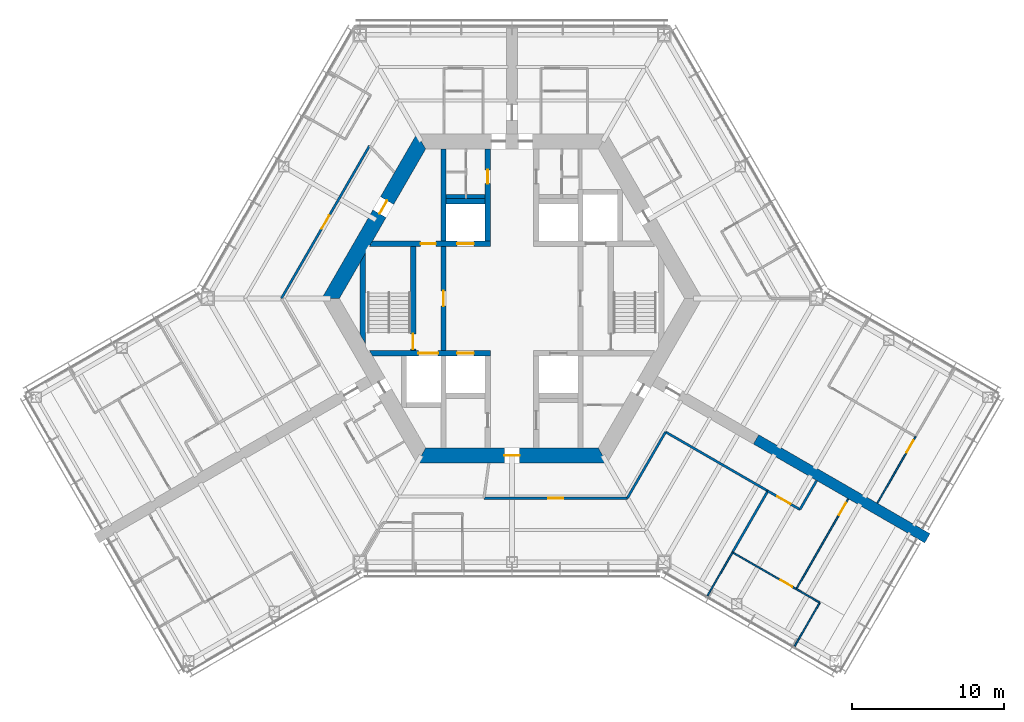
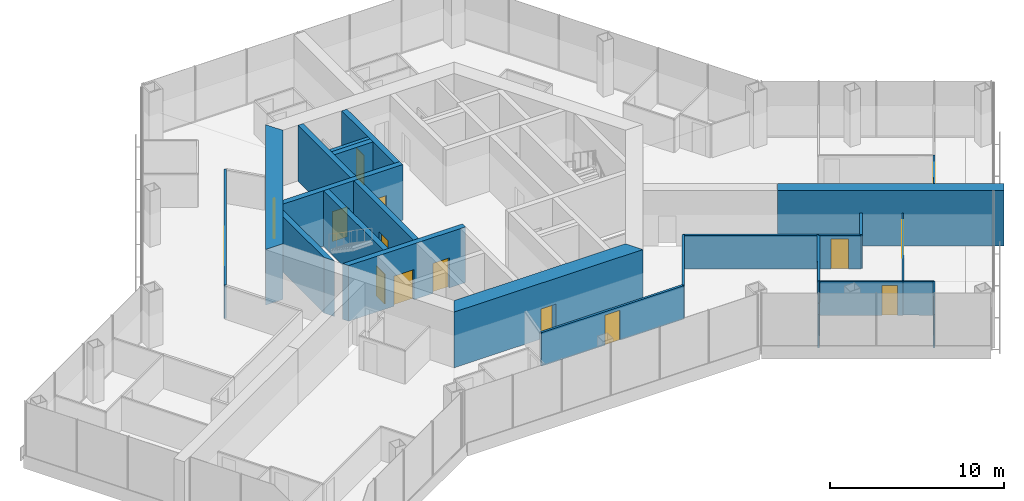
# One storey, part 13 of 18: 25 walls, 15 doors, 15 openings.
"""IFC4 building model written with IfcOpenShell, lengths in metres."""

from ifc_helpers import new_model, si_unit, direction, frame, frame_2d, origin, place, context, subcontext, project, spatial, polyline, rectangle, outline, extrude, material, layer, layer_set, type_object, element, fill, save


model = new_model("IFC4")

# Units and contexts
model_context = context("Model", 3, precision=1e-05, world=origin(), true_north=direction((0.0, 1.0)))
body_context = subcontext(model_context, "Body", "Model", "MODEL_VIEW")
ifc_project = project(units=[si_unit("LENGTHUNIT", "METRE"), si_unit("AREAUNIT", "SQUARE_METRE"), si_unit("VOLUMEUNIT", "CUBIC_METRE"), si_unit("PLANEANGLEUNIT", "RADIAN"), si_unit("MASSUNIT", "GRAM", prefix="KILO")], contexts=[model_context])

# Site, building, storey
site_placement = place(None, origin())
site = spatial("IfcSite", under=ifc_project, at=site_placement, CompositionType="ELEMENT")
building_placement = place(site_placement, origin())
building = spatial("IfcBuilding", under=site, at=building_placement, Name="Kasaneha Research Tower", CompositionType="ELEMENT")
storey_placement = place(building_placement, frame((0.0, 0.0, 199.39990234375)))
storey = spatial("IfcBuildingStorey", under=building, at=storey_placement, Name="L50", CompositionType="ELEMENT", Elevation=199.39990234375)

# Wall, openings, doors
ifc_material_1 = material(Name="Concrete Fc70", Category="concrete")
ifc_layer_1 = layer(ifc_material_1, 0.35009765625)
ifc_layer_set_1 = layer_set([ifc_layer_1], Name="Core internal wall 350 Fc70")
wall_type_1 = type_object("IfcWallType", Name="Core internal wall 350 Fc70", PredefinedType="SHEAR", material=ifc_layer_set_1)
wall_1_placement = place(storey_placement, frame((-9.266357421875, 3.60009765625, 0.0), z_axis=(0.0, 0.0, 1.0), x_axis=(1.0, 0.0, 0.0)))
wall_1 = element("IfcWall", 1, at=wall_1_placement, inside=storey, type_object=wall_type_1, Name="Core wall W1W L50", PredefinedType="SHEAR", context=body_context, shape_type="SweptSolid", body=[
    extrude(outline(polyline([(-0.10107421875, -0.175048828125), (3.266357421875, -0.175048828125), (4.266357421875, -0.175048828125), (5.66650390625, -0.175048828125), (6.7666015625, -0.175048828125), (7.84130859375, -0.175048828125), (7.84130859375, 0.175048828125), (6.7666015625, 0.175048828125), (5.66650390625, 0.175048828125), (4.266357421875, 0.175048828125), (3.266357421875, 0.175048828125), (0.10107421875, 0.175048828125), (-0.10107421875, -0.175048828125)])), origin(), (0.0, 0.0, 1.0), 3.900146484375),
])
opening_1_placement = place(wall_1_placement, frame((3.266357421875, 0.0, 0.0)))
opening_1 = element("IfcOpeningElement", 2, at=opening_1_placement, cuts=wall_1, Name="Opening L50-D12", PredefinedType="OPENING", context=body_context, shape_type="SweptSolid", body=[
    extrude(rectangle(XDim=1.0, YDim=2.10009765625, at=frame_2d((0.5, 1.050048828125))), frame((0.0, 0.18505859375, 0.0), z_axis=(0.0, -1.0, 0.0), x_axis=(1.0, 0.0, 0.0)), (0.0, 0.0, 1.0), 0.3701171875),
])
opening_2_placement = place(wall_1_placement, frame((5.66650390625, 0.0, 0.0)))
opening_2 = element("IfcOpeningElement", 3, at=opening_2_placement, cuts=wall_1, Name="Opening LD-LM1-L50", PredefinedType="OPENING", context=body_context, shape_type="SweptSolid", body=[
    extrude(rectangle(XDim=1.10009765625, YDim=2.10009765625, at=frame_2d((0.550048828125, 1.050048828125))), frame((0.0, 0.18505859375, 0.0), z_axis=(0.0, -1.0, 0.0), x_axis=(1.0, 0.0, 0.0)), (0.0, 0.0, 1.0), 0.3701171875),
])
ifc_material_2 = material(Name="Steel", Category="steel")
door_type_1 = type_object("IfcDoorType", Name="Lift landing door 1100x2100", OperationType="DOUBLE_DOOR_SLIDING", PredefinedType="DOOR", material=ifc_material_2)
door_1_placement = place(opening_2_placement, origin())
door_1 = element("IfcDoor", 4, at=door_1_placement, inside=storey, type_object=door_type_1, Name="Landing door LM1 LD-LM1-L50", OperationType="DOUBLE_DOOR_SLIDING", OverallHeight=2.10009765625, OverallWidth=1.10009765625, PredefinedType="DOOR", context=body_context, shape_type="SweptSolid", body=[
    extrude(rectangle(XDim=1.10009765625, YDim=2.10009765625, at=frame_2d((0.550048828125, 1.050048828125))), frame((0.0, 0.02490234375, 0.0), z_axis=(0.0, -1.0, 0.0), x_axis=(1.0, 0.0, 0.0)), (0.0, 0.0, 1.0), 0.050048828125),
])
fill(opening_2, door_1)
ifc_material_3 = material(Name="Steel", Category="steel")
door_type_2 = type_object("IfcDoorType", Name="Specified fire door FD60 1000x2100", OperationType="NOTDEFINED", PredefinedType="DOOR", material=ifc_material_3)
door_2_placement = place(opening_1_placement, origin())
door_2 = element("IfcDoor", 5, at=door_2_placement, inside=storey, type_object=door_type_2, Name="Vestibule to lobby door L50-D12", OperationType="SINGLE_SWING_LEFT", OverallHeight=2.10009765625, OverallWidth=1.0, PredefinedType="DOOR", context=body_context, shape_type="SweptSolid", body=[
    extrude(rectangle(XDim=1.0, YDim=2.10009765625, at=frame_2d((0.5, 1.050048828125))), frame((0.0, 0.02490234375, 0.0), z_axis=(0.0, -1.0, 0.0), x_axis=(1.0, 0.0, 0.0)), (0.0, 0.0, 1.0), 0.050048828125),
])
fill(opening_1, door_2)

wall_2_placement = place(storey_placement, frame((-9.266357421875, -3.60009765625, 0.0), z_axis=(0.0, 0.0, 1.0), x_axis=(1.0, 0.0, 0.0)))
wall_2 = element("IfcWall", 6, at=wall_2_placement, inside=storey, type_object=wall_type_1, Name="Core wall W2W L50", PredefinedType="SHEAR", context=body_context, shape_type="SweptSolid", body=[
    extrude(outline(polyline([(0.10107421875, -0.175048828125), (3.116455078125, -0.175048828125), (4.41650390625, -0.175048828125), (5.66650390625, -0.175048828125), (6.7666015625, -0.175048828125), (7.84130859375, -0.175048828125), (7.84130859375, 0.175048828125), (6.7666015625, 0.175048828125), (5.66650390625, 0.175048828125), (4.41650390625, 0.175048828125), (3.116455078125, 0.175048828125), (-0.10107421875, 0.175048828125), (0.10107421875, -0.175048828125)])), origin(), (0.0, 0.0, 1.0), 3.900146484375),
])
opening_3_placement = place(wall_2_placement, frame((5.66650390625, 0.0, 0.0)))
opening_3 = element("IfcOpeningElement", 7, at=opening_3_placement, cuts=wall_2, Name="Opening LD-LM3-L50", PredefinedType="OPENING", context=body_context, shape_type="SweptSolid", body=[
    extrude(rectangle(XDim=1.10009765625, YDim=2.10009765625, at=frame_2d((0.550048828125, 1.050048828125))), frame((0.0, 0.18505859375, 0.0), z_axis=(0.0, -1.0, 0.0), x_axis=(1.0, 0.0, 0.0)), (0.0, 0.0, 1.0), 0.3701171875),
])
opening_4_placement = place(wall_2_placement, frame((3.116455078125, 0.0, 0.0)))
opening_4 = element("IfcOpeningElement", 8, at=opening_4_placement, cuts=wall_2, Name="Opening LD-FL2-L50", PredefinedType="OPENING", context=body_context, shape_type="SweptSolid", body=[
    extrude(rectangle(XDim=1.300048828125, YDim=2.10009765625, at=frame_2d((0.64990234375, 1.050048828125))), frame((0.0, 0.18505859375, 0.0), z_axis=(0.0, -1.0, 0.0), x_axis=(1.0, 0.0, 0.0)), (0.0, 0.0, 1.0), 0.3701171875),
])
door_3_placement = place(opening_3_placement, origin())
door_3 = element("IfcDoor", 9, at=door_3_placement, inside=storey, type_object=door_type_1, Name="Landing door LM3 LD-LM3-L50", OperationType="DOUBLE_DOOR_SLIDING", OverallHeight=2.10009765625, OverallWidth=1.10009765625, PredefinedType="DOOR", context=body_context, shape_type="SweptSolid", body=[
    extrude(rectangle(XDim=1.10009765625, YDim=2.10009765625, at=frame_2d((0.550048828125, 1.050048828125))), frame((0.0, 0.02490234375, 0.0), z_axis=(0.0, -1.0, 0.0), x_axis=(1.0, 0.0, 0.0)), (0.0, 0.0, 1.0), 0.050048828125),
])
fill(opening_3, door_3)
ifc_material_4 = material(Name="Steel", Category="steel")
door_type_3 = type_object("IfcDoorType", Name="Lift landing door 1300x2100", OperationType="DOUBLE_DOOR_SLIDING", PredefinedType="DOOR", material=ifc_material_4)
door_4_placement = place(opening_4_placement, origin())
door_4 = element("IfcDoor", 10, at=door_4_placement, inside=storey, type_object=door_type_3, Name="Landing door FL2 LD-FL2-L50", OperationType="DOUBLE_DOOR_SLIDING", OverallHeight=2.10009765625, OverallWidth=1.300048828125, PredefinedType="DOOR", context=body_context, shape_type="SweptSolid", body=[
    extrude(rectangle(XDim=1.300048828125, YDim=2.10009765625, at=frame_2d((0.64990234375, 1.050048828125))), frame((0.0, 0.02490234375, 0.0), z_axis=(0.0, -1.0, 0.0), x_axis=(1.0, 0.0, 0.0)), (0.0, 0.0, 1.0), 0.050048828125),
])
fill(opening_4, door_4)

# Wall, opening, door
wall_3_placement = place(storey_placement, frame((-1.60009765625, 3.77490234375, 0.0), z_axis=(0.0, 0.0, 1.0), x_axis=(0.0, 1.0, 0.0)))
wall_3 = element("IfcWall", 11, at=wall_3_placement, inside=storey, type_object=wall_type_1, Name="Core wall CNW L50", PredefinedType="SHEAR", context=body_context, shape_type="SweptSolid", body=[
    extrude(rectangle(XDim=6.050048828125, YDim=0.35009765625, at=frame_2d((3.02490234375, 0.0))), origin(), (0.0, 0.0, 1.0), 3.900146484375),
])
opening_5_placement = place(wall_3_placement, frame((3.77490234375, 0.0, 0.0)))
opening_5 = element("IfcOpeningElement", 12, at=opening_5_placement, cuts=wall_3, Name="Opening L50-D13", PredefinedType="OPENING", context=body_context, shape_type="SweptSolid", body=[
    extrude(rectangle(XDim=0.89990234375, YDim=2.10009765625, at=frame_2d((0.449951171875, 1.050048828125))), frame((0.0, 0.18505859375, 0.0), z_axis=(0.0, -1.0, 0.0), x_axis=(1.0, 0.0, 0.0)), (0.0, 0.0, 1.0), 0.3701171875),
])
ifc_material_5 = material(Name="Steel", Category="steel")
door_type_4 = type_object("IfcDoorType", Name="Toilet door FD20 900x2100", OperationType="NOTDEFINED", PredefinedType="DOOR", material=ifc_material_5)
door_5_placement = place(opening_5_placement, origin())
door_5 = element("IfcDoor", 13, at=door_5_placement, inside=storey, type_object=door_type_4, Name="Men's WC door L50-D13", OperationType="SINGLE_SWING_LEFT", OverallHeight=2.10009765625, OverallWidth=0.89990234375, PredefinedType="DOOR", context=body_context, shape_type="SweptSolid", body=[
    extrude(rectangle(XDim=0.89990234375, YDim=2.10009765625, at=frame_2d((0.449951171875, 1.050048828125))), frame((0.0, 0.02490234375, 0.0), z_axis=(0.0, -1.0, 0.0), x_axis=(1.0, 0.0, 0.0)), (0.0, 0.0, 1.0), 0.050048828125),
])
fill(opening_5, door_5)

wall_4_placement = place(storey_placement, frame((-4.5, -3.425048828125, 0.0), z_axis=(0.0, 0.0, 1.0), x_axis=(0.0, 1.0, 0.0)))
wall_4 = element("IfcWall", 14, at=wall_4_placement, inside=storey, type_object=wall_type_1, Name="Core wall LBW L50", PredefinedType="SHEAR", context=body_context, shape_type="SweptSolid", body=[
    extrude(rectangle(XDim=6.85009765625, YDim=0.35009765625, at=frame_2d((3.425048828125, 0.0))), origin(), (0.0, 0.0, 1.0), 3.900146484375),
])
opening_6_placement = place(wall_4_placement, frame((2.925048828125, 0.0, 0.0)))
opening_6 = element("IfcOpeningElement", 15, at=opening_6_placement, cuts=wall_4, Name="Opening L50-D09", PredefinedType="OPENING", context=body_context, shape_type="SweptSolid", body=[
    extrude(rectangle(XDim=1.0, YDim=2.10009765625, at=frame_2d((0.5, 1.050048828125))), frame((0.0, 0.18505859375, 0.0), z_axis=(0.0, -1.0, 0.0), x_axis=(1.0, 0.0, 0.0)), (0.0, 0.0, 1.0), 0.3701171875),
])
door_6_placement = place(opening_6_placement, origin())
door_6 = element("IfcDoor", 16, at=door_6_placement, inside=storey, type_object=door_type_2, Name="Lift lobby door west L50-D09", OperationType="SINGLE_SWING_LEFT", OverallHeight=2.10009765625, OverallWidth=1.0, PredefinedType="DOOR", context=body_context, shape_type="SweptSolid", body=[
    extrude(rectangle(XDim=1.0, YDim=2.10009765625, at=frame_2d((0.5, 1.050048828125))), frame((0.0, 0.02490234375, 0.0), z_axis=(0.0, -1.0, 0.0), x_axis=(1.0, 0.0, 0.0)), (0.0, 0.0, 1.0), 0.050048828125),
])
fill(opening_6, door_6)

wall_5_placement = place(storey_placement, frame((-6.5, -3.425048828125, 0.0), z_axis=(0.0, 0.0, 1.0), x_axis=(0.0, 1.0, 0.0)))
wall_5 = element("IfcWall", 17, at=wall_5_placement, inside=storey, type_object=wall_type_1, Name="Core wall ANW L50", PredefinedType="SHEAR", context=body_context, shape_type="SweptSolid", body=[
    extrude(rectangle(XDim=6.85009765625, YDim=0.35009765625, at=frame_2d((3.425048828125, 0.0))), origin(), (0.0, 0.0, 1.0), 3.900146484375),
])
opening_7_placement = place(wall_5_placement, frame((0.10009765625, 0.0, 0.0)))
opening_7 = element("IfcOpeningElement", 18, at=opening_7_placement, cuts=wall_5, Name="Opening L50-D11", PredefinedType="OPENING", context=body_context, shape_type="SweptSolid", body=[
    extrude(rectangle(XDim=1.0, YDim=2.10009765625, at=frame_2d((0.5, 1.050048828125))), frame((0.0, 0.18505859375, 0.0), z_axis=(0.0, -1.0, 0.0), x_axis=(1.0, 0.0, 0.0)), (0.0, 0.0, 1.0), 0.3701171875),
])
door_7_placement = place(opening_7_placement, origin())
door_7 = element("IfcDoor", 19, at=door_7_placement, inside=storey, type_object=door_type_2, Name="Stair 2 door L50-D11", OperationType="SINGLE_SWING_LEFT", OverallHeight=2.10009765625, OverallWidth=1.0, PredefinedType="DOOR", context=body_context, shape_type="SweptSolid", body=[
    extrude(rectangle(XDim=1.0, YDim=2.10009765625, at=frame_2d((0.5, 1.050048828125))), frame((0.0, 0.02490234375, 0.0), z_axis=(0.0, -1.0, 0.0), x_axis=(1.0, 0.0, 0.0)), (0.0, 0.0, 1.0), 0.050048828125),
])
fill(opening_7, door_7)

# Walls
wall_6_placement = place(storey_placement, frame((-4.5, 3.77490234375, 0.0), z_axis=(0.0, 0.0, 1.0), x_axis=(0.0, 1.0, 0.0)))
element("IfcWall", 20, at=wall_6_placement, inside=storey, type_object=wall_type_1, Name="Core wall VNW L50", PredefinedType="SHEAR", context=body_context, shape_type="SweptSolid", body=[
    extrude(rectangle(XDim=6.050048828125, YDim=0.35009765625, at=frame_2d((3.02490234375, 0.0))), origin(), (0.0, 0.0, 1.0), 3.900146484375),
])
wall_7_placement = place(storey_placement, frame((-4.324951171875, 6.39990234375, 0.0), z_axis=(0.0, 0.0, 1.0), x_axis=(1.0, 0.0, 0.0)))
element("IfcWall", 21, at=wall_7_placement, inside=storey, type_object=wall_type_1, Name="Core wall N1N L50", PredefinedType="SHEAR", context=body_context, shape_type="SweptSolid", body=[
    extrude(rectangle(XDim=2.550048828125, YDim=0.35009765625, at=frame_2d((1.27490234375, 0.0))), origin(), (0.0, 0.0, 1.0), 3.900146484375),
])
wall_8_placement = place(storey_placement, frame((-9.807861328125, -2.662353515625, 0.0), z_axis=(0.0, 0.0, 1.0), x_axis=(0.0, 1.0, 0.0)))
element("IfcWall", 22, at=wall_8_placement, inside=storey, type_object=wall_type_1, Name="Core wall STW L50", PredefinedType="SHEAR", context=body_context, shape_type="SweptSolid", body=[
    extrude(outline(polyline([(-0.30322265625, -0.175048828125), (5.6279296875, -0.175048828125), (5.021484375, 0.175048828125), (0.30322265625, 0.175048828125), (-0.30322265625, -0.175048828125)])), origin(), (0.0, 0.0, 1.0), 3.900146484375),
])

# Wall, opening, door
ifc_material_6 = material(Name="Concrete Fc70", Category="concrete")
ifc_layer_2 = layer(ifc_material_6, 1.0)
ifc_layer_set_2 = layer_set([ifc_layer_2], Name="Core wall 1000 Fc70")
wall_type_2 = type_object("IfcWallType", Name="Core wall 1000 Fc70", PredefinedType="SHEAR", material=ifc_layer_set_2)
wall_9_placement = place(storey_placement, frame((-5.961181640625, 10.324951171875, 0.0), z_axis=(0.0, 0.0, 1.0), x_axis=(-0.500004296715, -0.866022923061, 0.0)))
wall_9 = element("IfcWall", 23, at=wall_9_placement, inside=storey, type_object=wall_type_2, Name="Core wall 150 L50", PredefinedType="SHEAR", context=body_context, shape_type="SweptSolid", body=[
    extrude(outline(polyline([(-0.28857421875, -0.5), (4.494140625, -0.5), (5.494140625, -0.5), (12.2109375, -0.5), (11.6337890625, 0.5), (5.494140625, 0.5), (4.494140625, 0.5), (0.28857421875, 0.5), (-0.28857421875, -0.5)])), origin(), (0.0, 0.0, 1.0), 3.900146484375),
])
opening_8_placement = place(wall_9_placement, frame((4.494140625, 0.0, 0.0)))
opening_8 = element("IfcOpeningElement", 24, at=opening_8_placement, cuts=wall_9, Name="Opening L50-D07", PredefinedType="OPENING", context=body_context, shape_type="SweptSolid", body=[
    extrude(rectangle(XDim=1.0, YDim=2.10009765625, at=frame_2d((0.5, 1.050048828125))), frame((0.0, 0.510009765625, 0.0), z_axis=(0.0, -1.0, 0.0), x_axis=(1.0, 0.0, 0.0)), (0.0, 0.0, 1.0), 1.02001953125),
])
ifc_material_7 = material(Name="Steel", Category="steel")
door_type_5 = type_object("IfcDoorType", Name="Fire door FD20 1000x2100", OperationType="NOTDEFINED", PredefinedType="DOOR", material=ifc_material_7)
door_8_placement = place(opening_8_placement, origin())
door_8 = element("IfcDoor", 25, at=door_8_placement, inside=storey, type_object=door_type_5, Name="Vestibule door L50-D07", OperationType="SINGLE_SWING_LEFT", OverallHeight=2.10009765625, OverallWidth=1.0, PredefinedType="DOOR", context=body_context, shape_type="SweptSolid", body=[
    extrude(rectangle(XDim=1.0, YDim=2.10009765625, at=frame_2d((0.5, 1.050048828125))), frame((0.0, 0.02490234375, 0.0), z_axis=(0.0, -1.0, 0.0), x_axis=(1.0, 0.0, 0.0)), (0.0, 0.0, 1.0), 0.050048828125),
])
fill(opening_8, door_8)

wall_10_placement = place(storey_placement, frame((-5.961181640625, -10.324951171875, 0.0), z_axis=(0.0, 0.0, 1.0), x_axis=(1.0, 0.0, 0.0)))
wall_10 = element("IfcWall", 26, at=wall_10_placement, inside=storey, type_object=wall_type_2, Name="Core wall 270 L50", PredefinedType="SHEAR", context=body_context, shape_type="SweptSolid", body=[
    extrude(outline(polyline([(-0.28857421875, -0.5), (5.461181640625, -0.5), (6.461181640625, -0.5), (12.2109375, -0.5), (11.6337890625, 0.5), (6.461181640625, 0.5), (5.461181640625, 0.5), (0.28857421875, 0.5), (-0.28857421875, -0.5)])), origin(), (0.0, 0.0, 1.0), 3.900146484375),
])
opening_9_placement = place(wall_10_placement, frame((5.461181640625, 0.0, 0.0)))
opening_9 = element("IfcOpeningElement", 27, at=opening_9_placement, cuts=wall_10, Name="Opening L50-D03", PredefinedType="OPENING", context=body_context, shape_type="SweptSolid", body=[
    extrude(rectangle(XDim=1.0, YDim=2.10009765625, at=frame_2d((0.5, 1.050048828125))), frame((0.0, 0.510009765625, 0.0), z_axis=(0.0, -1.0, 0.0), x_axis=(1.0, 0.0, 0.0)), (0.0, 0.0, 1.0), 1.02001953125),
])
door_9_placement = place(opening_9_placement, origin())
door_9 = element("IfcDoor", 28, at=door_9_placement, inside=storey, type_object=door_type_5, Name="Core door south L50-D03", OperationType="SINGLE_SWING_LEFT", OverallHeight=2.10009765625, OverallWidth=1.0, PredefinedType="DOOR", context=body_context, shape_type="SweptSolid", body=[
    extrude(rectangle(XDim=1.0, YDim=2.10009765625, at=frame_2d((0.5, 1.050048828125))), frame((0.0, 0.02490234375, 0.0), z_axis=(0.0, -1.0, 0.0), x_axis=(1.0, 0.0, 0.0)), (0.0, 0.0, 1.0), 0.050048828125),
])
fill(opening_9, door_9)

ifc_material_8 = material(Name="Gypsum board on steel studs, one layer each side", Category="steel")
ifc_layer_3 = layer(ifc_material_8, 0.10009765625)
ifc_layer_set_3 = layer_set([ifc_layer_3], Name="Office partition 100")
wall_type_3 = type_object("IfcWallType", Name="Office partition 100", PredefinedType="PARTITIONING", material=ifc_layer_set_3)
wall_11_placement = place(storey_placement, frame((24.017578125, -13.439208984375, 0.0), z_axis=(0.0, 0.0, 1.0), x_axis=(0.498430118894, 0.866929879851, 0.0)))
wall_11 = element("IfcWall", 29, at=wall_11_placement, inside=storey, type_object=wall_type_3, Name="Office partition FCE04 L50", PredefinedType="PARTITIONING", context=body_context, shape_type="SweptSolid", body=[
    extrude(rectangle(XDim=5.033935546875, YDim=0.10009765625, at=frame_2d((2.51708984375, 0.0))), origin(), (0.0, 0.0, 1.0), 2.35009765625),
])
opening_10_placement = place(wall_11_placement, frame((3.833984375, 0.0, 0.0)))
opening_10 = element("IfcOpeningElement", 30, at=opening_10_placement, cuts=wall_11, Name="Opening L50-D42", PredefinedType="OPENING", context=body_context, shape_type="SweptSolid", body=[
    extrude(rectangle(XDim=0.89990234375, YDim=2.10009765625, at=frame_2d((0.449951171875, 1.050048828125))), frame((0.0, 0.06005859375, 0.0), z_axis=(0.0, -1.0, 0.0), x_axis=(1.0, 0.0, 0.0)), (0.0, 0.0, 1.0), 0.1201171875),
])
ifc_material_9 = material(Name="Timber veneer", Category="wood")
door_type_6 = type_object("IfcDoorType", Name="Office door 900x2100", OperationType="SINGLE_SWING_LEFT", PredefinedType="DOOR", material=ifc_material_9)
door_10_placement = place(opening_10_placement, origin())
door_10 = element("IfcDoor", 31, at=door_10_placement, inside=storey, type_object=door_type_6, Name="Meeting room door L50-D42", OperationType="SINGLE_SWING_RIGHT", OverallHeight=2.10009765625, OverallWidth=0.89990234375, PredefinedType="DOOR", context=body_context, shape_type="SweptSolid", body=[
    extrude(rectangle(XDim=0.89990234375, YDim=2.10009765625, at=frame_2d((0.449951171875, 1.050048828125))), frame((0.0, 0.02490234375, 0.0), z_axis=(0.0, -1.0, 0.0), x_axis=(1.0, 0.0, 0.0)), (0.0, 0.0, 1.0), 0.050048828125),
])
fill(opening_10, door_10)

# Walls
wall_12_placement = place(storey_placement, frame((18.57275390625, -22.853271484375, 0.0), z_axis=(0.0, 0.0, 1.0), x_axis=(0.499920671713, 0.866071199148, 0.0)))
element("IfcWall", 32, at=wall_12_placement, inside=storey, type_object=wall_type_3, Name="Office partition FCS07 L50", PredefinedType="PARTITIONING", context=body_context, shape_type="SweptSolid", body=[
    extrude(rectangle(XDim=3.30517578125, YDim=0.10009765625, at=frame_2d((1.652587890625, 0.0))), origin(), (0.0, 0.0, 1.0), 2.35009765625),
])
wall_13_placement = place(storey_placement, frame((20.22509765625, -19.99072265625, 0.0), z_axis=(0.0, 0.0, 1.0), x_axis=(-0.864647633554, 0.502378811047, 0.0)))
element("IfcWall", 33, at=wall_13_placement, inside=storey, type_object=wall_type_3, Name="Office partition FCS08 L50", PredefinedType="PARTITIONING", context=body_context, shape_type="SweptSolid", body=[
    extrude(rectangle(XDim=1.791259765625, YDim=0.10009765625, at=frame_2d((0.8955078125, 0.0))), origin(), (0.0, 0.0, 1.0), 2.35009765625),
])

# Wall, opening, door
wall_14_placement = place(storey_placement, frame((18.67822265625, -19.097412109375, 0.0), z_axis=(0.0, 0.0, 1.0), x_axis=(0.499488276661, 0.86632064588, 0.0)))
wall_14 = element("IfcWall", 34, at=wall_14_placement, inside=storey, type_object=wall_type_3, Name="Office partition FCS09 L50", PredefinedType="PARTITIONING", context=body_context, shape_type="SweptSolid", body=[
    extrude(rectangle(XDim=6.829833984375, YDim=0.10009765625, at=frame_2d((3.4150390625, 0.0))), origin(), (0.0, 0.0, 1.0), 2.35009765625),
])
opening_11_placement = place(wall_14_placement, frame((5.629638671875, 0.0, 0.0)))
opening_11 = element("IfcOpeningElement", 35, at=opening_11_placement, cuts=wall_14, Name="Opening L50-D45", PredefinedType="OPENING", context=body_context, shape_type="SweptSolid", body=[
    extrude(rectangle(XDim=0.89990234375, YDim=2.10009765625, at=frame_2d((0.449951171875, 1.050048828125))), frame((0.0, 0.06005859375, 0.0), z_axis=(0.0, -1.0, 0.0), x_axis=(1.0, 0.0, 0.0)), (0.0, 0.0, 1.0), 0.1201171875),
])
door_11_placement = place(opening_11_placement, origin())
door_11 = element("IfcDoor", 36, at=door_11_placement, inside=storey, type_object=door_type_6, Name="Meeting room door L50-D45", OperationType="SINGLE_SWING_RIGHT", OverallHeight=2.10009765625, OverallWidth=0.89990234375, PredefinedType="DOOR", context=body_context, shape_type="SweptSolid", body=[
    extrude(rectangle(XDim=0.89990234375, YDim=2.10009765625, at=frame_2d((0.449951171875, 1.050048828125))), frame((0.0, 0.02490234375, 0.0), z_axis=(0.0, -1.0, 0.0), x_axis=(1.0, 0.0, 0.0)), (0.0, 0.0, 1.0), 0.050048828125),
])
fill(opening_11, door_11)

# Wall
wall_15_placement = place(storey_placement, frame((12.839599609375, -19.543212890625, 0.0), z_axis=(0.0, 0.0, 1.0), x_axis=(0.501269197563, 0.865291391136, 0.0)))
element("IfcWall", 37, at=wall_15_placement, inside=storey, type_object=wall_type_3, Name="Office partition FCS14 L50", PredefinedType="PARTITIONING", context=body_context, shape_type="SweptSolid", body=[
    extrude(rectangle(XDim=3.30517578125, YDim=0.10009765625, at=frame_2d((1.652587890625, 0.0))), origin(), (0.0, 0.0, 1.0), 2.35009765625),
])

# Wall, opening, door
wall_16_placement = place(storey_placement, frame((14.489990234375, -16.684814453125, 0.0), z_axis=(0.0, 0.0, 1.0), x_axis=(0.866481441777, -0.499209285827, 0.0)))
wall_16 = element("IfcWall", 38, at=wall_16_placement, inside=storey, type_object=wall_type_3, Name="Office partition FCS15 L50", PredefinedType="PARTITIONING", context=body_context, shape_type="SweptSolid", body=[
    extrude(rectangle(XDim=4.833251953125, YDim=0.10009765625, at=frame_2d((2.41650390625, 0.0))), origin(), (0.0, 0.0, 1.0), 2.35009765625),
])
opening_12_placement = place(wall_16_placement, frame((3.63330078125, 0.0, 0.0)))
opening_12 = element("IfcOpeningElement", 39, at=opening_12_placement, cuts=wall_16, Name="Opening L50-D47", PredefinedType="OPENING", context=body_context, shape_type="SweptSolid", body=[
    extrude(rectangle(XDim=0.89990234375, YDim=2.10009765625, at=frame_2d((0.449951171875, 1.050048828125))), frame((0.0, 0.06005859375, 0.0), z_axis=(0.0, -1.0, 0.0), x_axis=(1.0, 0.0, 0.0)), (0.0, 0.0, 1.0), 0.1201171875),
])
door_12_placement = place(opening_12_placement, origin())
door_12 = element("IfcDoor", 40, at=door_12_placement, inside=storey, type_object=door_type_6, Name="Meeting room door L50-D47", OperationType="SINGLE_SWING_RIGHT", OverallHeight=2.10009765625, OverallWidth=0.89990234375, PredefinedType="DOOR", context=body_context, shape_type="SweptSolid", body=[
    extrude(rectangle(XDim=0.89990234375, YDim=2.10009765625, at=frame_2d((0.449951171875, 1.050048828125))), frame((0.0, 0.02490234375, 0.0), z_axis=(0.0, -1.0, 0.0), x_axis=(1.0, 0.0, 0.0)), (0.0, 0.0, 1.0), 0.050048828125),
])
fill(opening_12, door_12)

# Wall
ifc_material_10 = material(Name="Concrete Fc70", Category="concrete")
ifc_layer_4 = layer(ifc_material_10, 0.699951171875)
ifc_layer_set_4 = layer_set([ifc_layer_4], Name="Spine wall 700 Fc70")
wall_type_4 = type_object("IfcWallType", Name="Spine wall 700 Fc70", PredefinedType="SHEAR", material=ifc_layer_set_4)
wall_17_placement = place(storey_placement, frame((16.039306640625, -9.26025390625, 0.0), z_axis=(0.0, 0.0, 1.0), x_axis=(0.866024837091, -0.50000098154, 0.0)))
element("IfcWall", 41, at=wall_17_placement, inside=storey, type_object=wall_type_4, Name="Spine wall C wing L50", PredefinedType="SHEAR", context=body_context, shape_type="SweptSolid", body=[
    extrude(rectangle(XDim=13.0, YDim=0.699951171875, at=frame_2d((6.5, 0.0))), origin(), (0.0, 0.0, 1.0), 3.900146484375),
])

# Wall, opening, door
ifc_material_11 = material(Name="Gypsum board on steel studs, two layers each side", Category="steel")
ifc_layer_5 = layer(ifc_material_11, 0.14990234375)
ifc_layer_set_5 = layer_set([ifc_layer_5], Name="Suite partition 150")
wall_type_5 = type_object("IfcWallType", Name="Suite partition 150", PredefinedType="PARTITIONING", material=ifc_layer_set_5)
wall_18_placement = place(storey_placement, frame((-15.155517578125, 0.0, 0.0), z_axis=(0.0, 0.0, 1.0), x_axis=(0.500012970505, 0.86601791513, 0.0)))
wall_18 = element("IfcWall", 42, at=wall_18_placement, inside=storey, type_object=wall_type_5, Name="Suite partition FBN02 L50", PredefinedType="PARTITIONING", context=body_context, shape_type="SweptSolid", body=[
    extrude(rectangle(XDim=11.590576171875, YDim=0.14990234375, at=frame_2d((5.79541015625, 0.0))), origin(), (0.0, 0.0, 1.0), 2.35009765625),
])
opening_13_placement = place(wall_18_placement, frame((5.295166015625, 0.0, 0.0)))
opening_13 = element("IfcOpeningElement", 43, at=opening_13_placement, cuts=wall_18, Name="Opening L50-D32", PredefinedType="OPENING", context=body_context, shape_type="SweptSolid", body=[
    extrude(rectangle(XDim=1.0, YDim=2.10009765625, at=frame_2d((0.5, 1.050048828125))), frame((0.0, 0.0849609375, 0.0), z_axis=(0.0, -1.0, 0.0), x_axis=(1.0, 0.0, 0.0)), (0.0, 0.0, 1.0), 0.169921875),
])
ifc_material_12 = material(Name="Steel", Category="steel")
door_type_7 = type_object("IfcDoorType", Name="Suite entrance door FD60 1000x2100", OperationType="NOTDEFINED", PredefinedType="DOOR", material=ifc_material_12)
door_13_placement = place(opening_13_placement, origin())
door_13 = element("IfcDoor", 44, at=door_13_placement, inside=storey, type_object=door_type_7, Name="Suite entrance door L50-D32", OperationType="SINGLE_SWING_RIGHT", OverallHeight=2.10009765625, OverallWidth=1.0, PredefinedType="DOOR", context=body_context, shape_type="SweptSolid", body=[
    extrude(rectangle(XDim=1.0, YDim=2.10009765625, at=frame_2d((0.5, 1.050048828125))), frame((0.0, 0.02490234375, 0.0), z_axis=(0.0, -1.0, 0.0), x_axis=(1.0, 0.0, 0.0)), (0.0, 0.0, 1.0), 0.050048828125),
])
fill(opening_13, door_13)

wall_19_placement = place(storey_placement, frame((7.57763671875, -13.125, 0.0), z_axis=(0.0, 0.0, 1.0), x_axis=(-1.0, 0.0, 0.0)))
wall_19 = element("IfcWall", 45, at=wall_19_placement, inside=storey, type_object=wall_type_5, Name="Suite partition FCS02 L50", PredefinedType="PARTITIONING", context=body_context, shape_type="SweptSolid", body=[
    extrude(rectangle(XDim=9.422119140625, YDim=0.14990234375, at=frame_2d((4.7109375, 0.0))), origin(), (0.0, 0.0, 1.0), 2.35009765625),
])
opening_14_placement = place(wall_19_placement, frame((4.211181640625, 0.0, 0.0)))
opening_14 = element("IfcOpeningElement", 46, at=opening_14_placement, cuts=wall_19, Name="Opening L50-D43", PredefinedType="OPENING", context=body_context, shape_type="SweptSolid", body=[
    extrude(rectangle(XDim=1.0, YDim=2.10009765625, at=frame_2d((0.5, 1.050048828125))), frame((0.0, 0.0849609375, 0.0), z_axis=(0.0, -1.0, 0.0), x_axis=(1.0, 0.0, 0.0)), (0.0, 0.0, 1.0), 0.169921875),
])
door_14_placement = place(opening_14_placement, origin())
door_14 = element("IfcDoor", 47, at=door_14_placement, inside=storey, type_object=door_type_7, Name="Suite entrance door L50-D43", OperationType="SINGLE_SWING_LEFT", OverallHeight=2.10009765625, OverallWidth=1.0, PredefinedType="DOOR", context=body_context, shape_type="SweptSolid", body=[
    extrude(rectangle(XDim=1.0, YDim=2.10009765625, at=frame_2d((0.5, 1.050048828125))), frame((0.0, 0.02490234375, 0.0), z_axis=(0.0, -1.0, 0.0), x_axis=(1.0, 0.0, 0.0)), (0.0, 0.0, 1.0), 0.050048828125),
])
fill(opening_14, door_14)

# Walls
wall_20_placement = place(storey_placement, frame((10.091552734375, -8.77099609375, 0.0), z_axis=(0.0, 0.0, 1.0), x_axis=(-0.500019495363, -0.866014147839, 0.0)))
element("IfcWall", 48, at=wall_20_placement, inside=storey, type_object=wall_type_5, Name="Suite partition FCS03 L50", PredefinedType="PARTITIONING", context=body_context, shape_type="SweptSolid", body=[
    extrude(rectangle(XDim=5.027587890625, YDim=0.14990234375, at=frame_2d((2.513671875, 0.0))), origin(), (0.0, 0.0, 1.0), 2.35009765625),
])
wall_21_placement = place(storey_placement, frame((16.821533203125, -12.656494140625, 0.0), z_axis=(0.0, 0.0, 1.0), x_axis=(-0.866028634939, 0.499994403434, 0.0)))
element("IfcWall", 49, at=wall_21_placement, inside=storey, type_object=wall_type_5, Name="Suite partition FCS04 L50", PredefinedType="PARTITIONING", context=body_context, shape_type="SweptSolid", body=[
    extrude(rectangle(XDim=7.77099609375, YDim=0.14990234375, at=frame_2d((3.885498046875, 0.0))), origin(), (0.0, 0.0, 1.0), 2.35009765625),
])

# Wall, opening, door
wall_22_placement = place(storey_placement, frame((18.921142578125, -13.86865234375, 0.0), z_axis=(0.0, 0.0, 1.0), x_axis=(-0.866000196749, 0.500043657324, 0.0)))
wall_22 = element("IfcWall", 50, at=wall_22_placement, inside=storey, type_object=wall_type_5, Name="Suite partition FCS05 L50", PredefinedType="PARTITIONING", context=body_context, shape_type="SweptSolid", body=[
    extrude(rectangle(XDim=2.434326171875, YDim=0.14990234375, at=frame_2d((1.21728515625, 0.0))), origin(), (0.0, 0.0, 1.0), 2.35009765625),
])
opening_15_placement = place(wall_22_placement, frame((0.71728515625, 0.0, 0.0)))
opening_15 = element("IfcOpeningElement", 51, at=opening_15_placement, cuts=wall_22, Name="Opening L50-D44", PredefinedType="OPENING", context=body_context, shape_type="SweptSolid", body=[
    extrude(rectangle(XDim=1.0, YDim=2.10009765625, at=frame_2d((0.5, 1.050048828125))), frame((0.0, 0.0849609375, 0.0), z_axis=(0.0, -1.0, 0.0), x_axis=(1.0, 0.0, 0.0)), (0.0, 0.0, 1.0), 0.169921875),
])
door_15_placement = place(opening_15_placement, origin())
door_15 = element("IfcDoor", 52, at=door_15_placement, inside=storey, type_object=door_type_7, Name="Suite entrance door L50-D44", OperationType="SINGLE_SWING_RIGHT", OverallHeight=2.10009765625, OverallWidth=1.0, PredefinedType="DOOR", context=body_context, shape_type="SweptSolid", body=[
    extrude(rectangle(XDim=1.0, YDim=2.10009765625, at=frame_2d((0.5, 1.050048828125))), frame((0.0, 0.02490234375, 0.0), z_axis=(0.0, -1.0, 0.0), x_axis=(1.0, 0.0, 0.0)), (0.0, 0.0, 1.0), 0.050048828125),
])
fill(opening_15, door_15)

# Walls
wall_23_placement = place(storey_placement, frame((20.01123046875, -11.980712890625, 0.0), z_axis=(0.0, 0.0, 1.0), x_axis=(-0.500029427677, -0.866008413041, 0.0)))
element("IfcWall", 53, at=wall_23_placement, inside=storey, type_object=wall_type_5, Name="Suite partition FCS06 L50", PredefinedType="PARTITIONING", context=body_context, shape_type="SweptSolid", body=[
    extrude(rectangle(XDim=2.179931640625, YDim=0.14990234375, at=frame_2d((1.08984375, 0.0))), origin(), (0.0, 0.0, 1.0), 2.35009765625),
])
wall_24_placement = place(storey_placement, frame((16.8125, -12.65185546875, 0.0), z_axis=(0.0, 0.0, 1.0), x_axis=(-0.499085020987, -0.86655302309, 0.0)))
element("IfcWall", 54, at=wall_24_placement, inside=storey, type_object=wall_type_5, Name="Suite partition FCS17 L50", PredefinedType="PARTITIONING", context=body_context, shape_type="SweptSolid", body=[
    extrude(rectangle(XDim=4.654052734375, YDim=0.14990234375, at=frame_2d((2.3271484375, 0.0))), origin(), (0.0, 0.0, 1.0), 2.35009765625),
])
ifc_material_13 = material(Name="Concrete block lining", Category="concrete")
ifc_layer_6 = layer(ifc_material_13, 0.25)
ifc_layer_set_6 = layer_set([ifc_layer_6], Name="WC plumbing wall 250")
wall_type_6 = type_object("IfcWallType", Name="WC plumbing wall 250", PredefinedType="PLUMBINGWALL", material=ifc_layer_set_6)
wall_25_placement = place(storey_placement, frame((-4.324951171875, 6.699951171875, 0.0), z_axis=(0.0, 0.0, 1.0), x_axis=(1.0, 0.0, 0.0)))
element("IfcWall", 55, at=wall_25_placement, inside=storey, type_object=wall_type_6, Name="WC plumbing wall M L50", PredefinedType="PLUMBINGWALL", context=body_context, shape_type="SweptSolid", body=[
    extrude(rectangle(XDim=2.550048828125, YDim=0.25, at=frame_2d((1.27490234375, 0.0))), origin(), (0.0, 0.0, 1.0), 3.900146484375),
])

save(model, "model.ifc")
